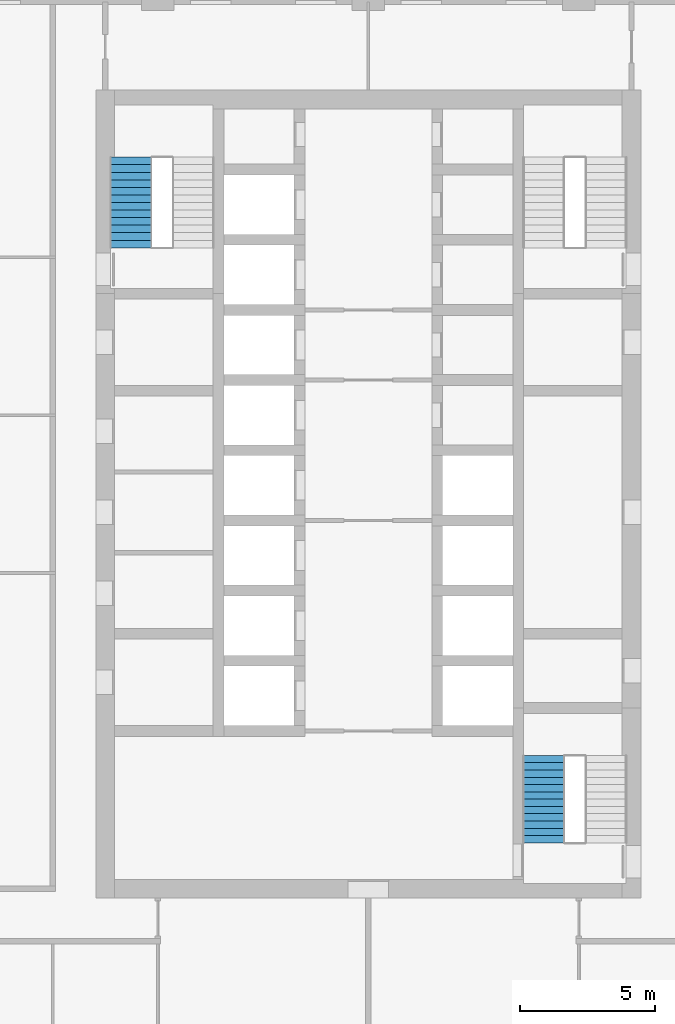
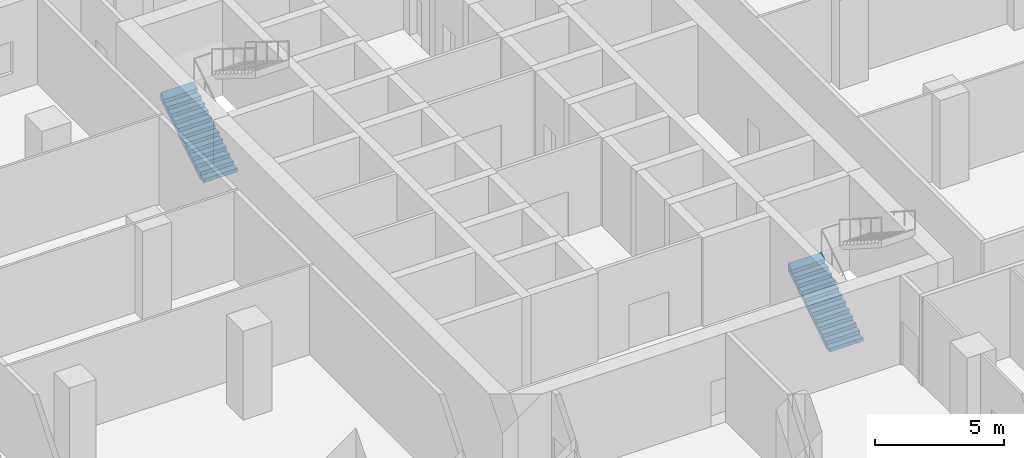
# One storey, part 17 of 24: 2 stair flights, 2 elements without a shape of their own.
"""IFC4 building model written with IfcOpenShell, lengths in metres."""

from ifc_helpers import new_model, si_unit, direction, frame, origin, place, context, subcontext, project, spatial, triangles, material, type_object, element, aggregate, save


model = new_model("IFC4")

# Units and contexts
model_context = context("Model", 3, precision=1e-05, world=origin(), true_north=direction((0.0, 1.0)))
body_context = subcontext(model_context, "Body", "Model", "MODEL_VIEW")
ifc_project = project(units=[si_unit("LENGTHUNIT", "METRE"), si_unit("AREAUNIT", "SQUARE_METRE"), si_unit("VOLUMEUNIT", "CUBIC_METRE"), si_unit("PLANEANGLEUNIT", "RADIAN"), si_unit("MASSUNIT", "GRAM", prefix="KILO")], contexts=[model_context])

# Site, building, storey
site_placement = place(None, origin())
site = spatial("IfcSite", under=ifc_project, at=site_placement, CompositionType="ELEMENT")
building_placement = place(site_placement, origin())
building = spatial("IfcBuilding", under=site, at=building_placement, Name="Ludao Terraces", CompositionType="ELEMENT")
storey_placement = place(building_placement, frame((0.0, 0.0, 6.0)))
storey = spatial("IfcBuildingStorey", under=building, at=storey_placement, Name="L01", CompositionType="ELEMENT", Elevation=6.0)

# Stair, stair flight
ifc_material = material(Name="Concrete C40", Category="concrete")
stair_type = type_object("IfcStairType", Name="INT Stair", PredefinedType="HALF_TURN_STAIR", material=ifc_material)
stair_1_placement = place(storey_placement, origin())
stair_1 = element("IfcStair", 1, at=stair_1_placement, inside=storey, type_object=stair_type, Name="EXIT STAIR 1", PredefinedType="HALF_TURN_STAIR")
stair_flight_type = type_object("IfcStairFlightType", Name="INT Stair flight", PredefinedType="STRAIGHT", material=ifc_material)
stair_flight_1_placement = place(storey_placement, frame((76.199951171875, 79.0, 0.0), z_axis=(0.0, 0.0, 1.0), x_axis=(0.0, 1.0, 0.0)))
stair_flight_1 = element("IfcStairFlight", 2, at=stair_flight_1_placement, type_object=stair_flight_type, Name="ST1 flight 1", NumberOfRisers=13, NumberOfTreads=12, PredefinedType="STRAIGHT", RiserHeight=0.173077, TreadLength=0.28, context=body_context, shape_type="Tessellation", body=[
    triangles([(0.0, -0.75, 0.0), (0.0, -0.5, 0.0), (0.0, -0.25, 0.0), (0.0, 0.0, 0.0), (0.0, 0.25, 0.0), (0.0, 0.5, 0.0), (0.0, 0.75, 0.0), (0.0, -0.75, 0.173095703125), (0.0, -0.5, 0.173095703125), (0.0, -0.25, 0.173095703125), (0.0, 0.0, 0.173095703125), (0.0, 0.25, 0.173095703125), (0.0, 0.5, 0.173095703125), (0.0, 0.75, 0.173095703125), (0.280029296875, -0.75, 0.173095703125), (0.280029296875, -0.5, 0.173095703125), (0.280029296875, -0.25, 0.173095703125), (0.280029296875, 0.0, 0.173095703125), (0.280029296875, 0.25, 0.173095703125), (0.280029296875, 0.5, 0.173095703125), (0.280029296875, 0.75, 0.173095703125), (0.280029296875, -0.75, 0.34619140625), (0.280029296875, -0.5, 0.34619140625), (0.280029296875, -0.25, 0.34619140625), (0.280029296875, 0.0, 0.34619140625), (0.280029296875, 0.25, 0.34619140625), (0.280029296875, 0.5, 0.34619140625), (0.280029296875, 0.75, 0.34619140625), (0.56005859375, -0.75, 0.34619140625), (0.56005859375, -0.5, 0.34619140625), (0.56005859375, -0.25, 0.34619140625), (0.56005859375, 0.0, 0.34619140625), (0.56005859375, 0.25, 0.34619140625), (0.56005859375, 0.5, 0.34619140625), (0.56005859375, 0.75, 0.34619140625), (0.56005859375, -0.75, 0.519287109375), (0.56005859375, -0.5, 0.519287109375), (0.56005859375, -0.25, 0.519287109375), (0.56005859375, 0.0, 0.519287109375), (0.56005859375, 0.25, 0.519287109375), (0.56005859375, 0.5, 0.519287109375), (0.56005859375, 0.75, 0.519287109375), (0.840087890625, -0.75, 0.519287109375), (0.840087890625, -0.5, 0.519287109375), (0.840087890625, -0.25, 0.519287109375), (0.840087890625, 0.0, 0.519287109375), (0.840087890625, 0.25, 0.519287109375), (0.840087890625, 0.5, 0.519287109375), (0.840087890625, 0.75, 0.519287109375), (0.840087890625, -0.75, 0.6923828125), (0.840087890625, -0.5, 0.6923828125), (0.840087890625, -0.25, 0.6923828125), (0.840087890625, 0.0, 0.6923828125), (0.840087890625, 0.25, 0.6923828125), (0.840087890625, 0.5, 0.6923828125), (0.840087890625, 0.75, 0.6923828125), (1.1201171875, -0.75, 0.6923828125), (1.1201171875, -0.5, 0.6923828125), (1.1201171875, -0.25, 0.6923828125), (1.1201171875, 0.0, 0.6923828125), (1.1201171875, 0.25, 0.6923828125), (1.1201171875, 0.5, 0.6923828125), (1.1201171875, 0.75, 0.6923828125), (1.1201171875, -0.75, 0.865478515625), (1.1201171875, -0.5, 0.865478515625), (1.1201171875, -0.25, 0.865478515625), (1.1201171875, 0.0, 0.865478515625), (1.1201171875, 0.25, 0.865478515625), (1.1201171875, 0.5, 0.865478515625), (1.1201171875, 0.75, 0.865478515625), (1.39990234375, -0.75, 0.865478515625), (1.39990234375, -0.5, 0.865478515625), (1.39990234375, -0.25, 0.865478515625), (1.39990234375, 0.0, 0.865478515625), (1.39990234375, 0.25, 0.865478515625), (1.39990234375, 0.5, 0.865478515625), (1.39990234375, 0.75, 0.865478515625), (1.39990234375, -0.75, 1.03857421875), (1.39990234375, -0.5, 1.03857421875), (1.39990234375, -0.25, 1.03857421875), (1.39990234375, 0.0, 1.03857421875), (1.39990234375, 0.25, 1.03857421875), (1.39990234375, 0.5, 1.03857421875), (1.39990234375, 0.75, 1.03857421875), (1.679931640625, -0.75, 1.03857421875), (1.679931640625, -0.5, 1.03857421875), (1.679931640625, -0.25, 1.03857421875), (1.679931640625, 0.0, 1.03857421875), (1.679931640625, 0.25, 1.03857421875), (1.679931640625, 0.5, 1.03857421875), (1.679931640625, 0.75, 1.03857421875), (1.679931640625, -0.75, 1.21142578125), (1.679931640625, -0.5, 1.21142578125), (1.679931640625, -0.25, 1.21142578125), (1.679931640625, 0.0, 1.21142578125), (1.679931640625, 0.25, 1.21142578125), (1.679931640625, 0.5, 1.21142578125), (1.679931640625, 0.75, 1.21142578125), (1.9599609375, -0.75, 1.21142578125), (1.9599609375, -0.5, 1.21142578125), (1.9599609375, -0.25, 1.21142578125), (1.9599609375, 0.0, 1.21142578125), (1.9599609375, 0.25, 1.21142578125), (1.9599609375, 0.5, 1.21142578125), (1.9599609375, 0.75, 1.21142578125), (1.9599609375, -0.75, 1.384521484375), (1.9599609375, -0.5, 1.384521484375), (1.9599609375, -0.25, 1.384521484375), (1.9599609375, 0.0, 1.384521484375), (1.9599609375, 0.25, 1.384521484375), (1.9599609375, 0.5, 1.384521484375), (1.9599609375, 0.75, 1.384521484375), (2.239990234375, -0.75, 1.384521484375), (2.239990234375, -0.5, 1.384521484375), (2.239990234375, -0.25, 1.384521484375), (2.239990234375, 0.0, 1.384521484375), (2.239990234375, 0.25, 1.384521484375), (2.239990234375, 0.5, 1.384521484375), (2.239990234375, 0.75, 1.384521484375), (2.239990234375, -0.75, 1.5576171875), (2.239990234375, -0.5, 1.5576171875), (2.239990234375, -0.25, 1.5576171875), (2.239990234375, 0.0, 1.5576171875), (2.239990234375, 0.25, 1.5576171875), (2.239990234375, 0.5, 1.5576171875), (2.239990234375, 0.75, 1.5576171875), (2.52001953125, -0.75, 1.5576171875), (2.52001953125, -0.5, 1.5576171875), (2.52001953125, -0.25, 1.5576171875), (2.52001953125, 0.0, 1.5576171875), (2.52001953125, 0.25, 1.5576171875), (2.52001953125, 0.5, 1.5576171875), (2.52001953125, 0.75, 1.5576171875), (2.52001953125, -0.75, 1.730712890625), (2.52001953125, -0.5, 1.730712890625), (2.52001953125, -0.25, 1.730712890625), (2.52001953125, 0.0, 1.730712890625), (2.52001953125, 0.25, 1.730712890625), (2.52001953125, 0.5, 1.730712890625), (2.52001953125, 0.75, 1.730712890625), (2.800048828125, -0.75, 1.730712890625), (2.800048828125, -0.5, 1.730712890625), (2.800048828125, -0.25, 1.730712890625), (2.800048828125, 0.0, 1.730712890625), (2.800048828125, 0.25, 1.730712890625), (2.800048828125, 0.5, 1.730712890625), (2.800048828125, 0.75, 1.730712890625), (2.800048828125, -0.75, 1.90380859375), (2.800048828125, -0.5, 1.90380859375), (2.800048828125, -0.25, 1.90380859375), (2.800048828125, 0.0, 1.90380859375), (2.800048828125, 0.25, 1.90380859375), (2.800048828125, 0.5, 1.90380859375), (2.800048828125, 0.75, 1.90380859375), (3.080078125, -0.75, 1.90380859375), (3.080078125, -0.5, 1.90380859375), (3.080078125, -0.25, 1.90380859375), (3.080078125, 0.0, 1.90380859375), (3.080078125, 0.25, 1.90380859375), (3.080078125, 0.5, 1.90380859375), (3.080078125, 0.75, 1.90380859375), (3.080078125, -0.75, 2.076904296875), (3.080078125, -0.5, 2.076904296875), (3.080078125, -0.25, 2.076904296875), (3.080078125, 0.0, 2.076904296875), (3.080078125, 0.25, 2.076904296875), (3.080078125, 0.5, 2.076904296875), (3.080078125, 0.75, 2.076904296875), (3.360107421875, -0.75, 2.25), (3.360107421875, -0.5, 2.25), (3.360107421875, -0.25, 2.25), (3.360107421875, 0.0, 2.25), (3.360107421875, 0.25, 2.25), (3.360107421875, 0.5, 2.25), (3.360107421875, 0.75, 2.25), (3.360107421875, -0.75, 1.900634765625), (3.360107421875, -0.5, 1.900634765625), (3.360107421875, -0.25, 1.900634765625), (3.360107421875, 0.0, 1.900634765625), (3.360107421875, 0.25, 1.900634765625), (3.360107421875, 0.5, 1.900634765625), (3.360107421875, 0.75, 1.900634765625), (0.28515625, -0.75, 0.0), (0.28515625, -0.5, 0.0), (0.28515625, -0.25, 0.0), (0.28515625, 0.0, 0.0), (0.28515625, 0.25, 0.0), (0.28515625, 0.5, 0.0), (0.28515625, 0.75, 0.0)], [[1, 183, 176], [7, 182, 189], [176, 169, 162], [182, 168, 175], [176, 162, 155], [182, 161, 168], [176, 155, 148], [182, 154, 161], [176, 148, 141], [182, 147, 154], [141, 134, 127], [147, 133, 140], [176, 141, 127], [182, 133, 147], [127, 120, 113], [133, 119, 126], [176, 127, 113], [182, 119, 133], [113, 106, 99], [119, 105, 112], [176, 113, 99], [182, 105, 119], [1, 176, 99], [7, 105, 182], [99, 92, 85], [105, 91, 98], [85, 78, 71], [91, 77, 84], [99, 85, 71], [105, 77, 91], [71, 64, 57], [77, 63, 70], [99, 71, 57], [105, 63, 77], [57, 50, 43], [63, 49, 56], [99, 57, 43], [105, 49, 63], [43, 36, 29], [49, 35, 42], [99, 43, 29], [105, 35, 49], [29, 22, 15], [35, 21, 28], [99, 29, 15], [105, 21, 35], [1, 99, 15], [7, 21, 105], [15, 8, 1], [21, 7, 14], [1, 9, 2], [1, 8, 9], [2, 10, 3], [2, 9, 10], [3, 11, 4], [3, 10, 11], [4, 12, 5], [4, 11, 12], [5, 13, 6], [5, 12, 13], [6, 14, 7], [6, 13, 14], [8, 16, 9], [8, 15, 16], [9, 17, 10], [9, 16, 17], [10, 18, 11], [10, 17, 18], [11, 19, 12], [11, 18, 19], [12, 20, 13], [12, 19, 20], [13, 21, 14], [13, 20, 21], [15, 23, 16], [15, 22, 23], [16, 24, 17], [16, 23, 24], [17, 25, 18], [17, 24, 25], [18, 26, 19], [18, 25, 26], [19, 27, 20], [19, 26, 27], [20, 28, 21], [20, 27, 28], [22, 30, 23], [22, 29, 30], [23, 31, 24], [23, 30, 31], [24, 32, 25], [24, 31, 32], [25, 33, 26], [25, 32, 33], [26, 34, 27], [26, 33, 34], [27, 35, 28], [27, 34, 35], [29, 37, 30], [29, 36, 37], [30, 38, 31], [30, 37, 38], [31, 39, 32], [31, 38, 39], [32, 40, 33], [32, 39, 40], [33, 41, 34], [33, 40, 41], [34, 42, 35], [34, 41, 42], [36, 44, 37], [36, 43, 44], [37, 45, 38], [37, 44, 45], [38, 46, 39], [38, 45, 46], [39, 47, 40], [39, 46, 47], [40, 48, 41], [40, 47, 48], [41, 49, 42], [41, 48, 49], [43, 51, 44], [43, 50, 51], [44, 52, 45], [44, 51, 52], [45, 53, 46], [45, 52, 53], [46, 54, 47], [46, 53, 54], [47, 55, 48], [47, 54, 55], [48, 56, 49], [48, 55, 56], [50, 58, 51], [50, 57, 58], [51, 59, 52], [51, 58, 59], [52, 60, 53], [52, 59, 60], [53, 61, 54], [53, 60, 61], [54, 62, 55], [54, 61, 62], [55, 63, 56], [55, 62, 63], [57, 65, 58], [57, 64, 65], [58, 66, 59], [58, 65, 66], [59, 67, 60], [59, 66, 67], [60, 68, 61], [60, 67, 68], [61, 69, 62], [61, 68, 69], [62, 70, 63], [62, 69, 70], [64, 72, 65], [64, 71, 72], [65, 73, 66], [65, 72, 73], [66, 74, 67], [66, 73, 74], [67, 75, 68], [67, 74, 75], [68, 76, 69], [68, 75, 76], [69, 77, 70], [69, 76, 77], [71, 79, 72], [71, 78, 79], [72, 80, 73], [72, 79, 80], [73, 81, 74], [73, 80, 81], [74, 82, 75], [74, 81, 82], [75, 83, 76], [75, 82, 83], [76, 84, 77], [76, 83, 84], [78, 86, 79], [78, 85, 86], [79, 87, 80], [79, 86, 87], [80, 88, 81], [80, 87, 88], [81, 89, 82], [81, 88, 89], [82, 90, 83], [82, 89, 90], [83, 91, 84], [83, 90, 91], [85, 93, 86], [85, 92, 93], [86, 94, 87], [86, 93, 94], [87, 95, 88], [87, 94, 95], [88, 96, 89], [88, 95, 96], [89, 97, 90], [89, 96, 97], [90, 98, 91], [90, 97, 98], [92, 100, 93], [92, 99, 100], [93, 101, 94], [93, 100, 101], [94, 102, 95], [94, 101, 102], [95, 103, 96], [95, 102, 103], [96, 104, 97], [96, 103, 104], [97, 105, 98], [97, 104, 105], [99, 107, 100], [99, 106, 107], [100, 108, 101], [100, 107, 108], [101, 109, 102], [101, 108, 109], [102, 110, 103], [102, 109, 110], [103, 111, 104], [103, 110, 111], [104, 112, 105], [104, 111, 112], [106, 114, 107], [106, 113, 114], [107, 115, 108], [107, 114, 115], [108, 116, 109], [108, 115, 116], [109, 117, 110], [109, 116, 117], [110, 118, 111], [110, 117, 118], [111, 119, 112], [111, 118, 119], [113, 121, 114], [113, 120, 121], [114, 122, 115], [114, 121, 122], [115, 123, 116], [115, 122, 123], [116, 124, 117], [116, 123, 124], [117, 125, 118], [117, 124, 125], [118, 126, 119], [118, 125, 126], [120, 128, 121], [120, 127, 128], [121, 129, 122], [121, 128, 129], [122, 130, 123], [122, 129, 130], [123, 131, 124], [123, 130, 131], [124, 132, 125], [124, 131, 132], [125, 133, 126], [125, 132, 133], [127, 135, 128], [127, 134, 135], [128, 136, 129], [128, 135, 136], [129, 137, 130], [129, 136, 137], [130, 138, 131], [130, 137, 138], [131, 139, 132], [131, 138, 139], [132, 140, 133], [132, 139, 140], [134, 142, 135], [134, 141, 142], [135, 143, 136], [135, 142, 143], [136, 144, 137], [136, 143, 144], [137, 145, 138], [137, 144, 145], [138, 146, 139], [138, 145, 146], [139, 147, 140], [139, 146, 147], [141, 149, 142], [141, 148, 149], [142, 150, 143], [142, 149, 150], [143, 151, 144], [143, 150, 151], [144, 152, 145], [144, 151, 152], [145, 153, 146], [145, 152, 153], [146, 154, 147], [146, 153, 154], [148, 156, 149], [148, 155, 156], [149, 157, 150], [149, 156, 157], [150, 158, 151], [150, 157, 158], [151, 159, 152], [151, 158, 159], [152, 160, 153], [152, 159, 160], [153, 161, 154], [153, 160, 161], [155, 163, 156], [155, 162, 163], [156, 164, 157], [156, 163, 164], [157, 165, 158], [157, 164, 165], [158, 166, 159], [158, 165, 166], [159, 167, 160], [159, 166, 167], [160, 168, 161], [160, 167, 168], [162, 170, 163], [162, 169, 170], [163, 171, 164], [163, 170, 171], [164, 172, 165], [164, 171, 172], [165, 173, 166], [165, 172, 173], [166, 174, 167], [166, 173, 174], [167, 175, 168], [167, 174, 175], [169, 177, 170], [169, 176, 177], [170, 178, 171], [170, 177, 178], [171, 179, 172], [171, 178, 179], [172, 180, 173], [172, 179, 180], [173, 181, 174], [173, 180, 181], [174, 182, 175], [174, 181, 182], [176, 184, 177], [176, 183, 184], [177, 185, 178], [177, 184, 185], [178, 186, 179], [178, 185, 186], [179, 187, 180], [179, 186, 187], [180, 188, 181], [180, 187, 188], [181, 189, 182], [181, 188, 189], [183, 2, 184], [183, 1, 2], [184, 3, 185], [184, 2, 3], [185, 4, 186], [185, 3, 4], [186, 5, 187], [186, 4, 5], [187, 6, 188], [187, 5, 6], [188, 7, 189], [188, 6, 7]], closed=True),
])
aggregate(stair_1, [stair_flight_1])

stair_2_placement = place(storey_placement, origin())
stair_2 = element("IfcStair", 3, at=stair_2_placement, inside=storey, type_object=stair_type, Name="EXIT STAIR 3", PredefinedType="HALF_TURN_STAIR")
stair_flight_2_placement = place(storey_placement, frame((91.5, 56.949951171875, 0.0), z_axis=(0.0, 0.0, 1.0), x_axis=(0.0, 1.0, 0.0)))
stair_flight_2 = element("IfcStairFlight", 4, at=stair_flight_2_placement, type_object=stair_flight_type, Name="ST3 flight 1", NumberOfRisers=13, NumberOfTreads=12, PredefinedType="STRAIGHT", RiserHeight=0.173077, TreadLength=0.27, context=body_context, shape_type="Tessellation", body=[
    triangles([(0.0, -0.75, 0.0), (0.0, -0.5, 0.0), (0.0, -0.25, 0.0), (0.0, 0.0, 0.0), (0.0, 0.25, 0.0), (0.0, 0.5, 0.0), (0.0, 0.75, 0.0), (0.0, -0.75, 0.173095703125), (0.0, -0.5, 0.173095703125), (0.0, -0.25, 0.173095703125), (0.0, 0.0, 0.173095703125), (0.0, 0.25, 0.173095703125), (0.0, 0.5, 0.173095703125), (0.0, 0.75, 0.173095703125), (0.27001953125, -0.75, 0.173095703125), (0.27001953125, -0.5, 0.173095703125), (0.27001953125, -0.25, 0.173095703125), (0.27001953125, 0.0, 0.173095703125), (0.27001953125, 0.25, 0.173095703125), (0.27001953125, 0.5, 0.173095703125), (0.27001953125, 0.75, 0.173095703125), (0.27001953125, -0.75, 0.34619140625), (0.27001953125, -0.5, 0.34619140625), (0.27001953125, -0.25, 0.34619140625), (0.27001953125, 0.0, 0.34619140625), (0.27001953125, 0.25, 0.34619140625), (0.27001953125, 0.5, 0.34619140625), (0.27001953125, 0.75, 0.34619140625), (0.5400390625, -0.75, 0.34619140625), (0.5400390625, -0.5, 0.34619140625), (0.5400390625, -0.25, 0.34619140625), (0.5400390625, 0.0, 0.34619140625), (0.5400390625, 0.25, 0.34619140625), (0.5400390625, 0.5, 0.34619140625), (0.5400390625, 0.75, 0.34619140625), (0.5400390625, -0.75, 0.519287109375), (0.5400390625, -0.5, 0.519287109375), (0.5400390625, -0.25, 0.519287109375), (0.5400390625, 0.0, 0.519287109375), (0.5400390625, 0.25, 0.519287109375), (0.5400390625, 0.5, 0.519287109375), (0.5400390625, 0.75, 0.519287109375), (0.81005859375, -0.75, 0.519287109375), (0.81005859375, -0.5, 0.519287109375), (0.81005859375, -0.25, 0.519287109375), (0.81005859375, 0.0, 0.519287109375), (0.81005859375, 0.25, 0.519287109375), (0.81005859375, 0.5, 0.519287109375), (0.81005859375, 0.75, 0.519287109375), (0.81005859375, -0.75, 0.6923828125), (0.81005859375, -0.5, 0.6923828125), (0.81005859375, -0.25, 0.6923828125), (0.81005859375, 0.0, 0.6923828125), (0.81005859375, 0.25, 0.6923828125), (0.81005859375, 0.5, 0.6923828125), (0.81005859375, 0.75, 0.6923828125), (1.080078125, -0.75, 0.6923828125), (1.080078125, -0.5, 0.6923828125), (1.080078125, -0.25, 0.6923828125), (1.080078125, 0.0, 0.6923828125), (1.080078125, 0.25, 0.6923828125), (1.080078125, 0.5, 0.6923828125), (1.080078125, 0.75, 0.6923828125), (1.080078125, -0.75, 0.865478515625), (1.080078125, -0.5, 0.865478515625), (1.080078125, -0.25, 0.865478515625), (1.080078125, 0.0, 0.865478515625), (1.080078125, 0.25, 0.865478515625), (1.080078125, 0.5, 0.865478515625), (1.080078125, 0.75, 0.865478515625), (1.35009765625, -0.75, 0.865478515625), (1.35009765625, -0.5, 0.865478515625), (1.35009765625, -0.25, 0.865478515625), (1.35009765625, 0.0, 0.865478515625), (1.35009765625, 0.25, 0.865478515625), (1.35009765625, 0.5, 0.865478515625), (1.35009765625, 0.75, 0.865478515625), (1.35009765625, -0.75, 1.03857421875), (1.35009765625, -0.5, 1.03857421875), (1.35009765625, -0.25, 1.03857421875), (1.35009765625, 0.0, 1.03857421875), (1.35009765625, 0.25, 1.03857421875), (1.35009765625, 0.5, 1.03857421875), (1.35009765625, 0.75, 1.03857421875), (1.6201171875, -0.75, 1.03857421875), (1.6201171875, -0.5, 1.03857421875), (1.6201171875, -0.25, 1.03857421875), (1.6201171875, 0.0, 1.03857421875), (1.6201171875, 0.25, 1.03857421875), (1.6201171875, 0.5, 1.03857421875), (1.6201171875, 0.75, 1.03857421875), (1.6201171875, -0.75, 1.21142578125), (1.6201171875, -0.5, 1.21142578125), (1.6201171875, -0.25, 1.21142578125), (1.6201171875, 0.0, 1.21142578125), (1.6201171875, 0.25, 1.21142578125), (1.6201171875, 0.5, 1.21142578125), (1.6201171875, 0.75, 1.21142578125), (1.889892578125, -0.75, 1.21142578125), (1.889892578125, -0.5, 1.21142578125), (1.889892578125, -0.25, 1.21142578125), (1.889892578125, 0.0, 1.21142578125), (1.889892578125, 0.25, 1.21142578125), (1.889892578125, 0.5, 1.21142578125), (1.889892578125, 0.75, 1.21142578125), (1.889892578125, -0.75, 1.384521484375), (1.889892578125, -0.5, 1.384521484375), (1.889892578125, -0.25, 1.384521484375), (1.889892578125, 0.0, 1.384521484375), (1.889892578125, 0.25, 1.384521484375), (1.889892578125, 0.5, 1.384521484375), (1.889892578125, 0.75, 1.384521484375), (2.159912109375, -0.75, 1.384521484375), (2.159912109375, -0.5, 1.384521484375), (2.159912109375, -0.25, 1.384521484375), (2.159912109375, 0.0, 1.384521484375), (2.159912109375, 0.25, 1.384521484375), (2.159912109375, 0.5, 1.384521484375), (2.159912109375, 0.75, 1.384521484375), (2.159912109375, -0.75, 1.5576171875), (2.159912109375, -0.5, 1.5576171875), (2.159912109375, -0.25, 1.5576171875), (2.159912109375, 0.0, 1.5576171875), (2.159912109375, 0.25, 1.5576171875), (2.159912109375, 0.5, 1.5576171875), (2.159912109375, 0.75, 1.5576171875), (2.429931640625, -0.75, 1.5576171875), (2.429931640625, -0.5, 1.5576171875), (2.429931640625, -0.25, 1.5576171875), (2.429931640625, 0.0, 1.5576171875), (2.429931640625, 0.25, 1.5576171875), (2.429931640625, 0.5, 1.5576171875), (2.429931640625, 0.75, 1.5576171875), (2.429931640625, -0.75, 1.730712890625), (2.429931640625, -0.5, 1.730712890625), (2.429931640625, -0.25, 1.730712890625), (2.429931640625, 0.0, 1.730712890625), (2.429931640625, 0.25, 1.730712890625), (2.429931640625, 0.5, 1.730712890625), (2.429931640625, 0.75, 1.730712890625), (2.699951171875, -0.75, 1.730712890625), (2.699951171875, -0.5, 1.730712890625), (2.699951171875, -0.25, 1.730712890625), (2.699951171875, 0.0, 1.730712890625), (2.699951171875, 0.25, 1.730712890625), (2.699951171875, 0.5, 1.730712890625), (2.699951171875, 0.75, 1.730712890625), (2.699951171875, -0.75, 1.90380859375), (2.699951171875, -0.5, 1.90380859375), (2.699951171875, -0.25, 1.90380859375), (2.699951171875, 0.0, 1.90380859375), (2.699951171875, 0.25, 1.90380859375), (2.699951171875, 0.5, 1.90380859375), (2.699951171875, 0.75, 1.90380859375), (2.969970703125, -0.75, 1.90380859375), (2.969970703125, -0.5, 1.90380859375), (2.969970703125, -0.25, 1.90380859375), (2.969970703125, 0.0, 1.90380859375), (2.969970703125, 0.25, 1.90380859375), (2.969970703125, 0.5, 1.90380859375), (2.969970703125, 0.75, 1.90380859375), (2.969970703125, -0.75, 2.076904296875), (2.969970703125, -0.5, 2.076904296875), (2.969970703125, -0.25, 2.076904296875), (2.969970703125, 0.0, 2.076904296875), (2.969970703125, 0.25, 2.076904296875), (2.969970703125, 0.5, 2.076904296875), (2.969970703125, 0.75, 2.076904296875), (3.239990234375, -0.75, 2.25), (3.239990234375, -0.5, 2.25), (3.239990234375, -0.25, 2.25), (3.239990234375, 0.0, 2.25), (3.239990234375, 0.25, 2.25), (3.239990234375, 0.5, 2.25), (3.239990234375, 0.75, 2.25), (3.239990234375, -0.75, 1.89892578125), (3.239990234375, -0.5, 1.89892578125), (3.239990234375, -0.25, 1.89892578125), (3.239990234375, 0.0, 1.89892578125), (3.239990234375, 0.25, 1.89892578125), (3.239990234375, 0.5, 1.89892578125), (3.239990234375, 0.75, 1.89892578125), (0.27783203125, -0.75, 0.0), (0.27783203125, -0.5, 0.0), (0.27783203125, -0.25, 0.0), (0.27783203125, 0.0, 0.0), (0.27783203125, 0.25, 0.0), (0.27783203125, 0.5, 0.0), (0.27783203125, 0.75, 0.0)], [[1, 183, 176], [7, 182, 189], [176, 169, 162], [182, 168, 175], [176, 162, 155], [182, 161, 168], [176, 155, 148], [182, 154, 161], [176, 148, 141], [182, 147, 154], [141, 134, 127], [147, 133, 140], [176, 141, 127], [182, 133, 147], [127, 120, 113], [133, 119, 126], [176, 127, 113], [182, 119, 133], [113, 106, 99], [119, 105, 112], [176, 113, 99], [182, 105, 119], [1, 176, 99], [7, 105, 182], [99, 92, 85], [105, 91, 98], [85, 78, 71], [91, 77, 84], [99, 85, 71], [105, 77, 91], [71, 64, 57], [77, 63, 70], [99, 71, 57], [105, 63, 77], [57, 50, 43], [63, 49, 56], [99, 57, 43], [105, 49, 63], [43, 36, 29], [49, 35, 42], [99, 43, 29], [105, 35, 49], [29, 22, 15], [35, 21, 28], [99, 29, 15], [105, 21, 35], [1, 99, 15], [7, 21, 105], [15, 8, 1], [21, 7, 14], [1, 9, 2], [1, 8, 9], [2, 10, 3], [2, 9, 10], [3, 11, 4], [3, 10, 11], [4, 12, 5], [4, 11, 12], [5, 13, 6], [5, 12, 13], [6, 14, 7], [6, 13, 14], [8, 16, 9], [8, 15, 16], [9, 17, 10], [9, 16, 17], [10, 18, 11], [10, 17, 18], [11, 19, 12], [11, 18, 19], [12, 20, 13], [12, 19, 20], [13, 21, 14], [13, 20, 21], [15, 23, 16], [15, 22, 23], [16, 24, 17], [16, 23, 24], [17, 25, 18], [17, 24, 25], [18, 26, 19], [18, 25, 26], [19, 27, 20], [19, 26, 27], [20, 28, 21], [20, 27, 28], [22, 30, 23], [22, 29, 30], [23, 31, 24], [23, 30, 31], [24, 32, 25], [24, 31, 32], [25, 33, 26], [25, 32, 33], [26, 34, 27], [26, 33, 34], [27, 35, 28], [27, 34, 35], [29, 37, 30], [29, 36, 37], [30, 38, 31], [30, 37, 38], [31, 39, 32], [31, 38, 39], [32, 40, 33], [32, 39, 40], [33, 41, 34], [33, 40, 41], [34, 42, 35], [34, 41, 42], [36, 44, 37], [36, 43, 44], [37, 45, 38], [37, 44, 45], [38, 46, 39], [38, 45, 46], [39, 47, 40], [39, 46, 47], [40, 48, 41], [40, 47, 48], [41, 49, 42], [41, 48, 49], [43, 51, 44], [43, 50, 51], [44, 52, 45], [44, 51, 52], [45, 53, 46], [45, 52, 53], [46, 54, 47], [46, 53, 54], [47, 55, 48], [47, 54, 55], [48, 56, 49], [48, 55, 56], [50, 58, 51], [50, 57, 58], [51, 59, 52], [51, 58, 59], [52, 60, 53], [52, 59, 60], [53, 61, 54], [53, 60, 61], [54, 62, 55], [54, 61, 62], [55, 63, 56], [55, 62, 63], [57, 65, 58], [57, 64, 65], [58, 66, 59], [58, 65, 66], [59, 67, 60], [59, 66, 67], [60, 68, 61], [60, 67, 68], [61, 69, 62], [61, 68, 69], [62, 70, 63], [62, 69, 70], [64, 72, 65], [64, 71, 72], [65, 73, 66], [65, 72, 73], [66, 74, 67], [66, 73, 74], [67, 75, 68], [67, 74, 75], [68, 76, 69], [68, 75, 76], [69, 77, 70], [69, 76, 77], [71, 79, 72], [71, 78, 79], [72, 80, 73], [72, 79, 80], [73, 81, 74], [73, 80, 81], [74, 82, 75], [74, 81, 82], [75, 83, 76], [75, 82, 83], [76, 84, 77], [76, 83, 84], [78, 86, 79], [78, 85, 86], [79, 87, 80], [79, 86, 87], [80, 88, 81], [80, 87, 88], [81, 89, 82], [81, 88, 89], [82, 90, 83], [82, 89, 90], [83, 91, 84], [83, 90, 91], [85, 93, 86], [85, 92, 93], [86, 94, 87], [86, 93, 94], [87, 95, 88], [87, 94, 95], [88, 96, 89], [88, 95, 96], [89, 97, 90], [89, 96, 97], [90, 98, 91], [90, 97, 98], [92, 100, 93], [92, 99, 100], [93, 101, 94], [93, 100, 101], [94, 102, 95], [94, 101, 102], [95, 103, 96], [95, 102, 103], [96, 104, 97], [96, 103, 104], [97, 105, 98], [97, 104, 105], [99, 107, 100], [99, 106, 107], [100, 108, 101], [100, 107, 108], [101, 109, 102], [101, 108, 109], [102, 110, 103], [102, 109, 110], [103, 111, 104], [103, 110, 111], [104, 112, 105], [104, 111, 112], [106, 114, 107], [106, 113, 114], [107, 115, 108], [107, 114, 115], [108, 116, 109], [108, 115, 116], [109, 117, 110], [109, 116, 117], [110, 118, 111], [110, 117, 118], [111, 119, 112], [111, 118, 119], [113, 121, 114], [113, 120, 121], [114, 122, 115], [114, 121, 122], [115, 123, 116], [115, 122, 123], [116, 124, 117], [116, 123, 124], [117, 125, 118], [117, 124, 125], [118, 126, 119], [118, 125, 126], [120, 128, 121], [120, 127, 128], [121, 129, 122], [121, 128, 129], [122, 130, 123], [122, 129, 130], [123, 131, 124], [123, 130, 131], [124, 132, 125], [124, 131, 132], [125, 133, 126], [125, 132, 133], [127, 135, 128], [127, 134, 135], [128, 136, 129], [128, 135, 136], [129, 137, 130], [129, 136, 137], [130, 138, 131], [130, 137, 138], [131, 139, 132], [131, 138, 139], [132, 140, 133], [132, 139, 140], [134, 142, 135], [134, 141, 142], [135, 143, 136], [135, 142, 143], [136, 144, 137], [136, 143, 144], [137, 145, 138], [137, 144, 145], [138, 146, 139], [138, 145, 146], [139, 147, 140], [139, 146, 147], [141, 149, 142], [141, 148, 149], [142, 150, 143], [142, 149, 150], [143, 151, 144], [143, 150, 151], [144, 152, 145], [144, 151, 152], [145, 153, 146], [145, 152, 153], [146, 154, 147], [146, 153, 154], [148, 156, 149], [148, 155, 156], [149, 157, 150], [149, 156, 157], [150, 158, 151], [150, 157, 158], [151, 159, 152], [151, 158, 159], [152, 160, 153], [152, 159, 160], [153, 161, 154], [153, 160, 161], [155, 163, 156], [155, 162, 163], [156, 164, 157], [156, 163, 164], [157, 165, 158], [157, 164, 165], [158, 166, 159], [158, 165, 166], [159, 167, 160], [159, 166, 167], [160, 168, 161], [160, 167, 168], [162, 170, 163], [162, 169, 170], [163, 171, 164], [163, 170, 171], [164, 172, 165], [164, 171, 172], [165, 173, 166], [165, 172, 173], [166, 174, 167], [166, 173, 174], [167, 175, 168], [167, 174, 175], [169, 177, 170], [169, 176, 177], [170, 178, 171], [170, 177, 178], [171, 179, 172], [171, 178, 179], [172, 180, 173], [172, 179, 180], [173, 181, 174], [173, 180, 181], [174, 182, 175], [174, 181, 182], [176, 184, 177], [176, 183, 184], [177, 185, 178], [177, 184, 185], [178, 186, 179], [178, 185, 186], [179, 187, 180], [179, 186, 187], [180, 188, 181], [180, 187, 188], [181, 189, 182], [181, 188, 189], [183, 2, 184], [183, 1, 2], [184, 3, 185], [184, 2, 3], [185, 4, 186], [185, 3, 4], [186, 5, 187], [186, 4, 5], [187, 6, 188], [187, 5, 6], [188, 7, 189], [188, 6, 7]], closed=True),
])
aggregate(stair_2, [stair_flight_2])

save(model, "model.ifc")
